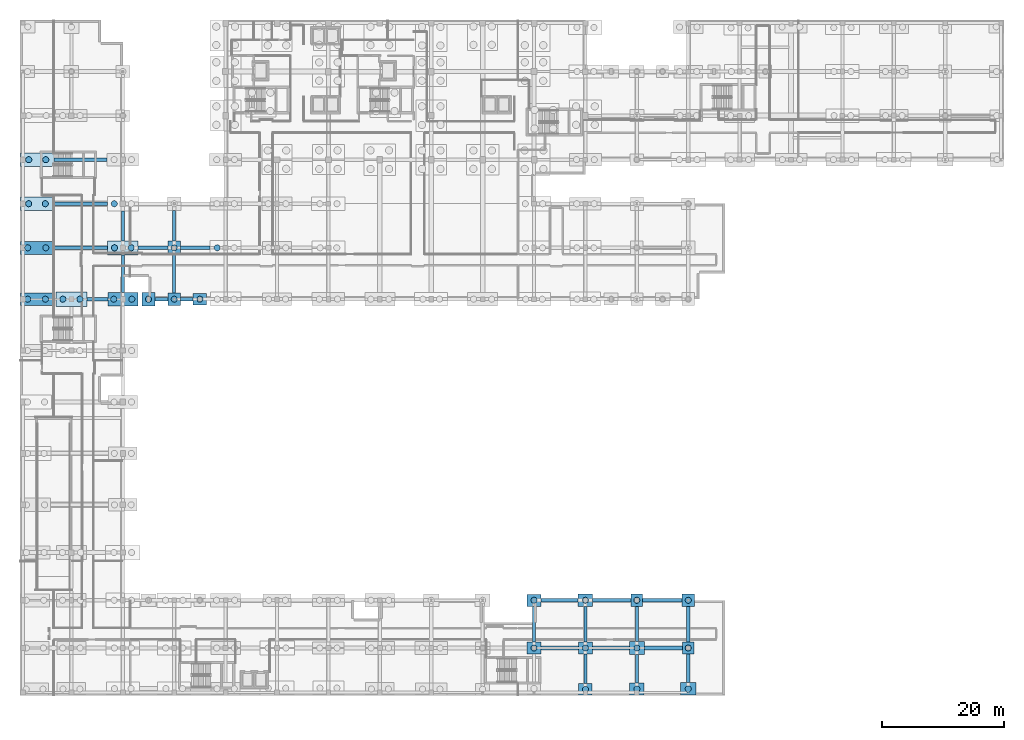
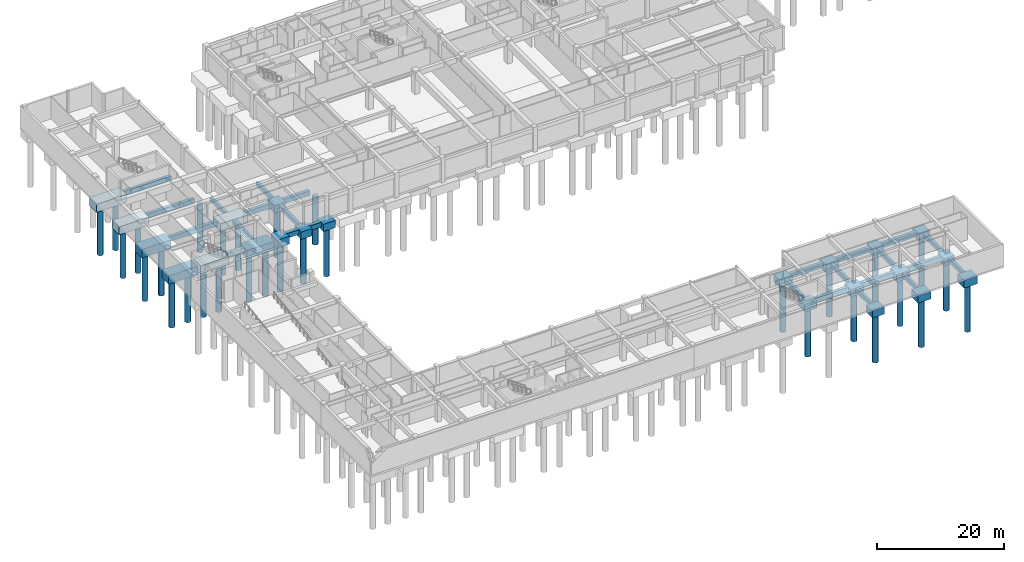
# One storey, part 3 of 42: 47 footings, 31 piles.
"""IFC4 building model written with IfcOpenShell, lengths in metres."""

from ifc_helpers import new_model, si_unit, direction, frame, origin, origin_2d, place, context, subcontext, project, spatial, rectangle, circle, extrude, material, material_profile, profile_set, type_object, element, save


model = new_model("IFC4")

# Units and contexts
model_context = context("Model", 3, precision=1e-05, world=origin(), true_north=direction((0.0, 1.0)))
body_context = subcontext(model_context, "Body", "Model", "MODEL_VIEW")
ifc_project = project(units=[si_unit("LENGTHUNIT", "METRE"), si_unit("AREAUNIT", "SQUARE_METRE"), si_unit("VOLUMEUNIT", "CUBIC_METRE"), si_unit("PLANEANGLEUNIT", "RADIAN"), si_unit("MASSUNIT", "GRAM", prefix="KILO")], contexts=[model_context])

# Site, building, storey
site_placement = place(None, origin())
site = spatial("IfcSite", under=ifc_project, at=site_placement, CompositionType="ELEMENT")
building_placement = place(site_placement, origin())
building = spatial("IfcBuilding", under=site, at=building_placement, Name="Quendrovan Civic Courthouse", CompositionType="ELEMENT")
storey_placement = place(building_placement, frame((0.0, 0.0, -4.5)))
storey = spatial("IfcBuildingStorey", under=building, at=storey_placement, Name="B1", CompositionType="ELEMENT", Elevation=-4.5)

# Footings
ifc_material = material(Name="Concrete C35/45", Category="concrete")
footing_type_1 = type_object("IfcFootingType", Name="FTG-PC1-190x202x140", PredefinedType="PILE_CAP", material=ifc_material)
for number, where, z_axis, x_axis, name in (
    (1, (100.800048828125, 15.60009765625, -1.699951171875), (0.0, 0.0, 1.0), (1.0, 0.0, 0.0), "Pile Cap PC1-01 at 13-C"),
    (2, (109.199951171875, 7.800048828125, -1.699951171875), (0.0, 0.0, 1.0), (1.0, 0.0, 0.0), "Pile Cap PC1-01 at 14-B"),
):
    element("IfcFooting", number, at=place(storey_placement, frame(where, z_axis=z_axis, x_axis=x_axis)), inside=storey, type_object=footing_type_1, Name=name, PredefinedType="PILE_CAP", context=body_context, shape_type="SweptSolid", body=[
        extrude(rectangle(XDim=1.89990234375, YDim=2.02001953125, at=origin_2d()), origin(), (0.0, 0.0, 1.0), 1.39990234375),
    ])
footing_type_2 = type_object("IfcFootingType", Name="FTG-PC1-198x208x143", PredefinedType="PILE_CAP", material=ifc_material)
for number, where, z_axis, x_axis, name in (
    (3, (25.199951171875, 64.800048828125, -1.72998046875), (0.0, 0.0, 1.0), (1.0, 0.0, 0.0), "Pile Cap PC1-02 at 4-J"),
    (4, (109.199951171875, 15.60009765625, -1.72998046875), (0.0, 0.0, 1.0), (1.0, 0.0, 0.0), "Pile Cap PC1-02 at 14-C"),
):
    element("IfcFooting", number, at=place(storey_placement, frame(where, z_axis=z_axis, x_axis=x_axis)), inside=storey, type_object=footing_type_2, Name=name, PredefinedType="PILE_CAP", context=body_context, shape_type="SweptSolid", body=[
        extrude(rectangle(XDim=1.97998046875, YDim=2.080078125, at=origin_2d()), origin(), (0.0, 0.0, 1.0), 1.429931640625),
    ])
footing_type_3 = type_object("IfcFootingType", Name="FTG-PC1-206x214x146", PredefinedType="PILE_CAP", material=ifc_material)
footing_1_placement = place(storey_placement, frame((25.199951171875, 73.199951171875, -1.760009765625), z_axis=(0.0, 0.0, 1.0), x_axis=(1.0, 0.0, 0.0)))
element("IfcFooting", 5, at=footing_1_placement, inside=storey, type_object=footing_type_3, Name="Pile Cap PC1-03 at 4-K", PredefinedType="PILE_CAP", context=body_context, shape_type="SweptSolid", body=[
    extrude(rectangle(XDim=2.06005859375, YDim=2.139892578125, at=origin_2d()), origin(), (0.0, 0.0, 1.0), 1.4599609375),
])
footing_type_4 = type_object("IfcFootingType", Name="FTG-PC1-214x220x149", PredefinedType="PILE_CAP", material=ifc_material)
footing_2_placement = place(storey_placement, frame((21.0, 64.800048828125, -1.7900390625), z_axis=(0.0, 0.0, 1.0), x_axis=(1.0, 0.0, 0.0)))
element("IfcFooting", 6, at=footing_2_placement, inside=storey, type_object=footing_type_4, Name="Pile Cap PC1-04 at PIL-C1", PredefinedType="PILE_CAP", context=body_context, shape_type="SweptSolid", body=[
    extrude(rectangle(XDim=2.139892578125, YDim=2.199951171875, at=origin_2d()), origin(), (0.0, 0.0, 1.0), 1.489990234375),
])
footing_type_5 = type_object("IfcFootingType", Name="FTG-PC1-222x190x140", PredefinedType="PILE_CAP", material=ifc_material)
for number, where, z_axis, x_axis, name in (
    (7, (84.0, 7.800048828125, -1.699951171875), (0.0, 0.0, 1.0), (1.0, 0.0, 0.0), "Pile Cap PC1-05 at 11-B"),
    (8, (92.39990234375, 1.030029296875, -1.699951171875), (0.0, 0.0, 1.0), (1.0, 0.0, 0.0), "Pile Cap PC1-05 at 12-A"),
    (9, (29.39990234375, 64.800048828125, -1.699951171875), (0.0, 0.0, 1.0), (1.0, 0.0, 0.0), "Pile Cap PC1-05 at PIL-C2"),
):
    element("IfcFooting", number, at=place(storey_placement, frame(where, z_axis=z_axis, x_axis=x_axis)), inside=storey, type_object=footing_type_5, Name=name, PredefinedType="PILE_CAP", context=body_context, shape_type="SweptSolid", body=[
        extrude(rectangle(XDim=2.219970703125, YDim=1.89990234375, at=origin_2d()), origin(), (0.0, 0.0, 1.0), 1.39990234375),
    ])
footing_type_6 = type_object("IfcFootingType", Name="FTG-PC1-229x196x143", PredefinedType="PILE_CAP", material=ifc_material)
for number, where, z_axis, x_axis, name in (
    (10, (84.0, 15.60009765625, -1.72998046875), (0.0, 0.0, 1.0), (1.0, 0.0, 0.0), "Pile Cap PC1-06 at 11-C"),
    (11, (92.39990234375, 7.800048828125, -1.72998046875), (0.0, 0.0, 1.0), (1.0, 0.0, 0.0), "Pile Cap PC1-06 at 12-B"),
):
    element("IfcFooting", number, at=place(storey_placement, frame(where, z_axis=z_axis, x_axis=x_axis)), inside=storey, type_object=footing_type_6, Name=name, PredefinedType="PILE_CAP", context=body_context, shape_type="SweptSolid", body=[
        extrude(rectangle(XDim=2.300048828125, YDim=1.9599609375, at=origin_2d()), origin(), (0.0, 0.0, 1.0), 1.429931640625),
    ])
footing_type_7 = type_object("IfcFootingType", Name="FTG-PC1-238x202x146", PredefinedType="PILE_CAP", material=ifc_material)
for number, where, z_axis, x_axis, name in (
    (12, (92.39990234375, 15.60009765625, -1.760009765625), (0.0, 0.0, 1.0), (1.0, 0.0, 0.0), "Pile Cap PC1-07 at 12-C"),
    (13, (100.800048828125, 1.090087890625, -1.760009765625), (0.0, 0.0, 1.0), (1.0, 0.0, 0.0), "Pile Cap PC1-07 at 13-A"),
):
    element("IfcFooting", number, at=place(storey_placement, frame(where, z_axis=z_axis, x_axis=x_axis)), inside=storey, type_object=footing_type_7, Name=name, PredefinedType="PILE_CAP", context=body_context, shape_type="SweptSolid", body=[
        extrude(rectangle(XDim=2.3798828125, YDim=2.02001953125, at=origin_2d()), origin(), (0.0, 0.0, 1.0), 1.4599609375),
    ])
footing_type_8 = type_object("IfcFootingType", Name="FTG-PC1-246x208x149", PredefinedType="PILE_CAP", material=ifc_material)
for number, where, z_axis, x_axis, name in (
    (14, (100.800048828125, 7.800048828125, -1.7900390625), (0.0, 0.0, 1.0), (1.0, 0.0, 0.0), "Pile Cap PC1-08 at 13-B"),
    (15, (109.199951171875, 1.1201171875, -1.7900390625), (0.0, 0.0, 1.0), (1.0, 0.0, 0.0), "Pile Cap PC1-08 at 14-A"),
):
    element("IfcFooting", number, at=place(storey_placement, frame(where, z_axis=z_axis, x_axis=x_axis)), inside=storey, type_object=footing_type_8, Name=name, PredefinedType="PILE_CAP", context=body_context, shape_type="SweptSolid", body=[
        extrude(rectangle(XDim=2.4599609375, YDim=2.080078125, at=origin_2d()), origin(), (0.0, 0.0, 1.0), 1.489990234375),
    ])
footing_type_9 = type_object("IfcFootingType", Name="FTG-PC2-492x224x163", PredefinedType="PILE_CAP", material=ifc_material)
footing_3_placement = place(storey_placement, frame((16.800048828125, 64.800048828125, -1.929931640625), z_axis=(0.0, 0.0, 1.0), x_axis=(1.0, 0.0, 0.0)))
element("IfcFooting", 16, at=footing_3_placement, inside=storey, type_object=footing_type_9, Name="Pile Cap PC2-05 at 3-J", PredefinedType="PILE_CAP", context=body_context, shape_type="SweptSolid", body=[
    extrude(rectangle(XDim=4.919921875, YDim=2.239990234375, at=origin_2d()), origin(), (0.0, 0.0, 1.0), 1.6298828125),
])
footing_type_10 = type_object("IfcFootingType", Name="FTG-PC2-500x229x155", PredefinedType="PILE_CAP", material=ifc_material)
footing_4_placement = place(storey_placement, frame((16.800048828125, 73.199951171875, -1.85009765625), z_axis=(0.0, 0.0, 1.0), x_axis=(1.0, 0.0, 0.0)))
element("IfcFooting", 17, at=footing_4_placement, inside=storey, type_object=footing_type_10, Name="Pile Cap PC2-06 at 3-K", PredefinedType="PILE_CAP", context=body_context, shape_type="SweptSolid", body=[
    extrude(rectangle(XDim=5.0, YDim=2.300048828125, at=origin_2d()), origin(), (0.0, 0.0, 1.0), 1.550048828125),
])
footing_type_11 = type_object("IfcFootingType", Name="FTG-PC2-508x236x157", PredefinedType="PILE_CAP", material=ifc_material)
footing_5_placement = place(storey_placement, frame((8.39990234375, 64.800048828125, -1.8701171875), z_axis=(0.0, 0.0, 1.0), x_axis=(1.0, 0.0, 0.0)))
element("IfcFooting", 18, at=footing_5_placement, inside=storey, type_object=footing_type_11, Name="Pile Cap PC2-07 at 2-J", PredefinedType="PILE_CAP", context=body_context, shape_type="SweptSolid", body=[
    extrude(rectangle(XDim=5.080078125, YDim=2.360107421875, at=origin_2d()), origin(), (0.0, 0.0, 1.0), 1.570068359375),
])
footing_type_12 = type_object("IfcFootingType", Name="FTG-PC2-524x206x161", PredefinedType="PILE_CAP", material=ifc_material)
footing_6_placement = place(storey_placement, frame((2.699951171875, 64.800048828125, -1.91015625), z_axis=(0.0, 0.0, 1.0), x_axis=(1.0, 0.0, 0.0)))
element("IfcFooting", 19, at=footing_6_placement, inside=storey, type_object=footing_type_12, Name="Pile Cap PC2-09 at 1-J", PredefinedType="PILE_CAP", context=body_context, shape_type="SweptSolid", body=[
    extrude(rectangle(XDim=5.239990234375, YDim=2.06005859375, at=origin_2d()), origin(), (0.0, 0.0, 1.0), 1.610107421875),
])
footing_type_13 = type_object("IfcFootingType", Name="FTG-PC2-532x212x163", PredefinedType="PILE_CAP", material=ifc_material)
footing_7_placement = place(storey_placement, frame((2.739990234375, 73.199951171875, -1.929931640625), z_axis=(0.0, 0.0, 1.0), x_axis=(1.0, 0.0, 0.0)))
element("IfcFooting", 20, at=footing_7_placement, inside=storey, type_object=footing_type_13, Name="Pile Cap PC2-10 at 1-K", PredefinedType="PILE_CAP", context=body_context, shape_type="SweptSolid", body=[
    extrude(rectangle(XDim=5.320068359375, YDim=2.1201171875, at=origin_2d()), origin(), (0.0, 0.0, 1.0), 1.6298828125),
])
footing_type_14 = type_object("IfcFootingType", Name="FTG-PC2-540x218x155", PredefinedType="PILE_CAP", material=ifc_material)
footing_8_placement = place(storey_placement, frame((2.780029296875, 80.39990234375, -1.85009765625), z_axis=(0.0, 0.0, 1.0), x_axis=(1.0, 0.0, 0.0)))
element("IfcFooting", 21, at=footing_8_placement, inside=storey, type_object=footing_type_14, Name="Pile Cap PC2-11 at 1-L", PredefinedType="PILE_CAP", context=body_context, shape_type="SweptSolid", body=[
    extrude(rectangle(XDim=5.39990234375, YDim=2.179931640625, at=origin_2d()), origin(), (0.0, 0.0, 1.0), 1.550048828125),
])
footing_type_15 = type_object("IfcFootingType", Name="FTG-PC2-548x224x157", PredefinedType="PILE_CAP", material=ifc_material)
footing_9_placement = place(storey_placement, frame((2.820068359375, 87.60009765625, -1.8701171875), z_axis=(0.0, 0.0, 1.0), x_axis=(1.0, 0.0, 0.0)))
element("IfcFooting", 22, at=footing_9_placement, inside=storey, type_object=footing_type_15, Name="Pile Cap PC2-12 at 1-M", PredefinedType="PILE_CAP", context=body_context, shape_type="SweptSolid", body=[
    extrude(rectangle(XDim=5.47998046875, YDim=2.239990234375, at=origin_2d()), origin(), (0.0, 0.0, 1.0), 1.570068359375),
])
footing_type_16 = type_object("IfcFootingType", Name="FTG-TBX-2200", PredefinedType="FOOTING_BEAM", material=ifc_material)
footing_10_placement = place(storey_placement, frame((23.139892578125, 64.800048828125, -1.199951171875), z_axis=(0.0, 0.0, 1.0), x_axis=(1.0, 0.0, 0.0)))
element("IfcFooting", 23, at=footing_10_placement, inside=storey, type_object=footing_type_16, Name="Seismic Tie Beam TB-X-030", PredefinedType="FOOTING_BEAM", context=body_context, shape_type="SweptSolid", body=[
    extrude(rectangle(XDim=2.139892578125, YDim=0.60009765625, at=origin_2d()), origin(), (0.0, 0.0, 1.0), 0.89990234375),
])
footing_11_placement = place(storey_placement, frame((27.239990234375, 64.800048828125, -1.199951171875), z_axis=(0.0, 0.0, 1.0), x_axis=(1.0, 0.0, 0.0)))
element("IfcFooting", 24, at=footing_11_placement, inside=storey, type_object=footing_type_16, Name="Seismic Tie Beam TB-X-031", PredefinedType="FOOTING_BEAM", context=body_context, shape_type="SweptSolid", body=[
    extrude(rectangle(XDim=2.10009765625, YDim=0.60009765625, at=origin_2d()), origin(), (0.0, 0.0, 1.0), 0.89990234375),
])
footing_type_17 = type_object("IfcFootingType", Name="FTG-TBX-3400", PredefinedType="FOOTING_BEAM", material=ifc_material)
footing_12_placement = place(storey_placement, frame((12.639892578125, 64.800048828125, -1.199951171875), z_axis=(0.0, 0.0, 1.0), x_axis=(1.0, 0.0, 0.0)))
element("IfcFooting", 25, at=footing_12_placement, inside=storey, type_object=footing_type_17, Name="Seismic Tie Beam TB-X-029", PredefinedType="FOOTING_BEAM", context=body_context, shape_type="SweptSolid", body=[
    extrude(rectangle(XDim=3.39990234375, YDim=0.60009765625, at=origin_2d()), origin(), (0.0, 0.0, 1.0), 0.89990234375),
])
footing_type_18 = type_object("IfcFootingType", Name="FTG-TBX-4800", PredefinedType="FOOTING_BEAM", material=ifc_material)
footing_13_placement = place(storey_placement, frame((21.735107421875, 73.199951171875, -1.199951171875), z_axis=(0.0, 0.0, 1.0), x_axis=(1.0, 0.0, 0.0)))
element("IfcFooting", 26, at=footing_13_placement, inside=storey, type_object=footing_type_18, Name="Seismic Tie Beam TB-X-043", PredefinedType="FOOTING_BEAM", context=body_context, shape_type="SweptSolid", body=[
    extrude(rectangle(XDim=4.8701171875, YDim=0.60009765625, at=origin_2d()), origin(), (0.0, 0.0, 1.0), 0.89990234375),
])
footing_14_placement = place(storey_placement, frame((28.64501953125, 73.199951171875, -1.199951171875), z_axis=(0.0, 0.0, 1.0), x_axis=(1.0, 0.0, 0.0)))
element("IfcFooting", 27, at=footing_14_placement, inside=storey, type_object=footing_type_18, Name="Seismic Tie Beam TB-X-044", PredefinedType="FOOTING_BEAM", context=body_context, shape_type="SweptSolid", body=[
    extrude(rectangle(XDim=4.830078125, YDim=0.60009765625, at=origin_2d()), origin(), (0.0, 0.0, 1.0), 0.89990234375),
])
footing_type_19 = type_object("IfcFootingType", Name="FTG-TBX-6000", PredefinedType="FOOTING_BEAM", material=ifc_material)
footing_15_placement = place(storey_placement, frame((96.56005859375, 7.800048828125, -1.199951171875), z_axis=(0.0, 0.0, 1.0), x_axis=(1.0, 0.0, 0.0)))
element("IfcFooting", 28, at=footing_15_placement, inside=storey, type_object=footing_type_19, Name="Seismic Tie Beam TB-X-013", PredefinedType="FOOTING_BEAM", context=body_context, shape_type="SweptSolid", body=[
    extrude(rectangle(XDim=6.02001953125, YDim=0.60009765625, at=origin_2d()), origin(), (0.0, 0.0, 1.0), 0.89990234375),
])
footing_16_placement = place(storey_placement, frame((88.179931640625, 15.60009765625, -1.199951171875), z_axis=(0.0, 0.0, 1.0), x_axis=(1.0, 0.0, 0.0)))
element("IfcFooting", 29, at=footing_16_placement, inside=storey, type_object=footing_type_19, Name="Seismic Tie Beam TB-X-021", PredefinedType="FOOTING_BEAM", context=body_context, shape_type="SweptSolid", body=[
    extrude(rectangle(XDim=6.06005859375, YDim=0.60009765625, at=origin_2d()), origin(), (0.0, 0.0, 1.0), 0.89990234375),
])
footing_type_20 = type_object("IfcFootingType", Name="FTG-TBX-6200", PredefinedType="FOOTING_BEAM", material=ifc_material)
footing_17_placement = place(storey_placement, frame((88.179931640625, 7.800048828125, -1.199951171875), z_axis=(0.0, 0.0, 1.0), x_axis=(1.0, 0.0, 0.0)))
element("IfcFooting", 30, at=footing_17_placement, inside=storey, type_object=footing_type_20, Name="Seismic Tie Beam TB-X-012", PredefinedType="FOOTING_BEAM", context=body_context, shape_type="SweptSolid", body=[
    extrude(rectangle(XDim=6.139892578125, YDim=0.60009765625, at=origin_2d()), origin(), (0.0, 0.0, 1.0), 0.89990234375),
])
footing_18_placement = place(storey_placement, frame((105.139892578125, 7.800048828125, -1.199951171875), z_axis=(0.0, 0.0, 1.0), x_axis=(1.0, 0.0, 0.0)))
element("IfcFooting", 31, at=footing_18_placement, inside=storey, type_object=footing_type_20, Name="Seismic Tie Beam TB-X-014", PredefinedType="FOOTING_BEAM", context=body_context, shape_type="SweptSolid", body=[
    extrude(rectangle(XDim=6.219970703125, YDim=0.60009765625, at=origin_2d()), origin(), (0.0, 0.0, 1.0), 0.89990234375),
])
footing_19_placement = place(storey_placement, frame((96.719970703125, 15.60009765625, -1.199951171875), z_axis=(0.0, 0.0, 1.0), x_axis=(1.0, 0.0, 0.0)))
element("IfcFooting", 32, at=footing_19_placement, inside=storey, type_object=footing_type_20, Name="Seismic Tie Beam TB-X-022", PredefinedType="FOOTING_BEAM", context=body_context, shape_type="SweptSolid", body=[
    extrude(rectangle(XDim=6.260009765625, YDim=0.60009765625, at=origin_2d()), origin(), (0.0, 0.0, 1.0), 0.89990234375),
])
footing_type_21 = type_object("IfcFootingType", Name="FTG-TBX-6400", PredefinedType="FOOTING_BEAM", material=ifc_material)
footing_20_placement = place(storey_placement, frame((104.97998046875, 15.60009765625, -1.199951171875), z_axis=(0.0, 0.0, 1.0), x_axis=(1.0, 0.0, 0.0)))
element("IfcFooting", 33, at=footing_20_placement, inside=storey, type_object=footing_type_21, Name="Seismic Tie Beam TB-X-023", PredefinedType="FOOTING_BEAM", context=body_context, shape_type="SweptSolid", body=[
    extrude(rectangle(XDim=6.4599609375, YDim=0.60009765625, at=origin_2d()), origin(), (0.0, 0.0, 1.0), 0.89990234375),
])
footing_type_22 = type_object("IfcFootingType", Name="FTG-TBX-8600", PredefinedType="FOOTING_BEAM", material=ifc_material)
footing_21_placement = place(storey_placement, frame((9.889892578125, 87.60009765625, -1.199951171875), z_axis=(0.0, 0.0, 1.0), x_axis=(1.0, 0.0, 0.0)))
element("IfcFooting", 34, at=footing_21_placement, inside=storey, type_object=footing_type_22, Name="Seismic Tie Beam TB-X-058", PredefinedType="FOOTING_BEAM", context=body_context, shape_type="SweptSolid", body=[
    extrude(rectangle(XDim=8.659912109375, YDim=0.60009765625, at=origin_2d()), origin(), (0.0, 0.0, 1.0), 0.89990234375),
])
footing_type_23 = type_object("IfcFootingType", Name="FTG-TBX-8800", PredefinedType="FOOTING_BEAM", material=ifc_material)
footing_22_placement = place(storey_placement, frame((9.85009765625, 73.199951171875, -1.199951171875), z_axis=(0.0, 0.0, 1.0), x_axis=(1.0, 0.0, 0.0)))
element("IfcFooting", 35, at=footing_22_placement, inside=storey, type_object=footing_type_23, Name="Seismic Tie Beam TB-X-042", PredefinedType="FOOTING_BEAM", context=body_context, shape_type="SweptSolid", body=[
    extrude(rectangle(XDim=8.89990234375, YDim=0.60009765625, at=origin_2d()), origin(), (0.0, 0.0, 1.0), 0.89990234375),
])
footing_23_placement = place(storey_placement, frame((9.8701171875, 80.39990234375, -1.199951171875), z_axis=(0.0, 0.0, 1.0), x_axis=(1.0, 0.0, 0.0)))
element("IfcFooting", 36, at=footing_23_placement, inside=storey, type_object=footing_type_23, Name="Seismic Tie Beam TB-X-050", PredefinedType="FOOTING_BEAM", context=body_context, shape_type="SweptSolid", body=[
    extrude(rectangle(XDim=8.780029296875, YDim=0.60009765625, at=origin_2d()), origin(), (0.0, 0.0, 1.0), 0.89990234375),
])
footing_type_24 = type_object("IfcFootingType", Name="FTG-TBY-4600", PredefinedType="FOOTING_BEAM", material=ifc_material)
footing_24_placement = place(storey_placement, frame((100.800048828125, 4.429931640625, -1.10009765625), z_axis=(0.0, 0.0, 1.0), x_axis=(1.0, 0.0, 0.0)))
element("IfcFooting", 37, at=footing_24_placement, inside=storey, type_object=footing_type_24, Name="Seismic Tie Beam TB-Y-151", PredefinedType="FOOTING_BEAM", context=body_context, shape_type="SweptSolid", body=[
    extrude(rectangle(XDim=0.5, YDim=4.659912109375, at=origin_2d()), origin(), (0.0, 0.0, 1.0), 0.800048828125),
])
footing_25_placement = place(storey_placement, frame((109.199951171875, 4.47509765625, -1.10009765625), z_axis=(0.0, 0.0, 1.0), x_axis=(1.0, 0.0, 0.0)))
element("IfcFooting", 38, at=footing_25_placement, inside=storey, type_object=footing_type_24, Name="Seismic Tie Beam TB-Y-157", PredefinedType="FOOTING_BEAM", context=body_context, shape_type="SweptSolid", body=[
    extrude(rectangle(XDim=0.5, YDim=4.6298828125, at=origin_2d()), origin(), (0.0, 0.0, 1.0), 0.800048828125),
])
footing_type_25 = type_object("IfcFootingType", Name="FTG-TBY-4800", PredefinedType="FOOTING_BEAM", material=ifc_material)
footing_26_placement = place(storey_placement, frame((16.800048828125, 76.784912109375, -1.10009765625), z_axis=(0.0, 0.0, 1.0), x_axis=(1.0, 0.0, 0.0)))
element("IfcFooting", 39, at=footing_26_placement, inside=storey, type_object=footing_type_25, Name="Seismic Tie Beam TB-Y-105", PredefinedType="FOOTING_BEAM", context=body_context, shape_type="SweptSolid", body=[
    extrude(rectangle(XDim=0.5, YDim=4.8701171875, at=origin_2d()), origin(), (0.0, 0.0, 1.0), 0.800048828125),
])
footing_27_placement = place(storey_placement, frame((92.39990234375, 4.39990234375, -1.10009765625), z_axis=(0.0, 0.0, 1.0), x_axis=(1.0, 0.0, 0.0)))
element("IfcFooting", 40, at=footing_27_placement, inside=storey, type_object=footing_type_25, Name="Seismic Tie Beam TB-Y-144", PredefinedType="FOOTING_BEAM", context=body_context, shape_type="SweptSolid", body=[
    extrude(rectangle(XDim=0.5, YDim=4.840087890625, at=origin_2d()), origin(), (0.0, 0.0, 1.0), 0.800048828125),
])
footing_type_26 = type_object("IfcFootingType", Name="FTG-TBY-5000", PredefinedType="FOOTING_BEAM", material=ifc_material)
footing_28_placement = place(storey_placement, frame((25.199951171875, 76.784912109375, -1.10009765625), z_axis=(0.0, 0.0, 1.0), x_axis=(1.0, 0.0, 0.0)))
element("IfcFooting", 41, at=footing_28_placement, inside=storey, type_object=footing_type_26, Name="Seismic Tie Beam TB-Y-112", PredefinedType="FOOTING_BEAM", context=body_context, shape_type="SweptSolid", body=[
    extrude(rectangle(XDim=0.5, YDim=5.030029296875, at=origin_2d()), origin(), (0.0, 0.0, 1.0), 0.800048828125),
])
footing_type_27 = type_object("IfcFootingType", Name="FTG-TBY-5800", PredefinedType="FOOTING_BEAM", material=ifc_material)
footing_29_placement = place(storey_placement, frame((84.0, 11.68505859375, -1.10009765625), z_axis=(0.0, 0.0, 1.0), x_axis=(1.0, 0.0, 0.0)))
element("IfcFooting", 42, at=footing_29_placement, inside=storey, type_object=footing_type_27, Name="Seismic Tie Beam TB-Y-140", PredefinedType="FOOTING_BEAM", context=body_context, shape_type="SweptSolid", body=[
    extrude(rectangle(XDim=0.5, YDim=5.8701171875, at=origin_2d()), origin(), (0.0, 0.0, 1.0), 0.800048828125),
])
footing_30_placement = place(storey_placement, frame((92.39990234375, 11.68505859375, -1.10009765625), z_axis=(0.0, 0.0, 1.0), x_axis=(1.0, 0.0, 0.0)))
element("IfcFooting", 43, at=footing_30_placement, inside=storey, type_object=footing_type_27, Name="Seismic Tie Beam TB-Y-145", PredefinedType="FOOTING_BEAM", context=body_context, shape_type="SweptSolid", body=[
    extrude(rectangle(XDim=0.5, YDim=5.81005859375, at=origin_2d()), origin(), (0.0, 0.0, 1.0), 0.800048828125),
])
for number, where, z_axis, x_axis, name in (
    (44, (100.800048828125, 11.715087890625, -1.10009765625), (0.0, 0.0, 1.0), (1.0, 0.0, 0.0), "Seismic Tie Beam TB-Y-152"),
    (45, (109.199951171875, 11.68505859375, -1.10009765625), (0.0, 0.0, 1.0), (1.0, 0.0, 0.0), "Seismic Tie Beam TB-Y-158"),
):
    element("IfcFooting", number, at=place(storey_placement, frame(where, z_axis=z_axis, x_axis=x_axis)), inside=storey, type_object=footing_type_27, Name=name, PredefinedType="FOOTING_BEAM", context=body_context, shape_type="SweptSolid", body=[
        extrude(rectangle(XDim=0.5, YDim=5.75, at=origin_2d()), origin(), (0.0, 0.0, 1.0), 0.800048828125),
    ])
footing_type_28 = type_object("IfcFootingType", Name="FTG-TBY-6200", PredefinedType="FOOTING_BEAM", material=ifc_material)
footing_31_placement = place(storey_placement, frame((16.800048828125, 68.985107421875, -1.10009765625), z_axis=(0.0, 0.0, 1.0), x_axis=(1.0, 0.0, 0.0)))
element("IfcFooting", 46, at=footing_31_placement, inside=storey, type_object=footing_type_28, Name="Seismic Tie Beam TB-Y-104", PredefinedType="FOOTING_BEAM", context=body_context, shape_type="SweptSolid", body=[
    extrude(rectangle(XDim=0.5, YDim=6.1298828125, at=origin_2d()), origin(), (0.0, 0.0, 1.0), 0.800048828125),
])
footing_32_placement = place(storey_placement, frame((25.199951171875, 68.985107421875, -1.10009765625), z_axis=(0.0, 0.0, 1.0), x_axis=(1.0, 0.0, 0.0)))
element("IfcFooting", 47, at=footing_32_placement, inside=storey, type_object=footing_type_28, Name="Seismic Tie Beam TB-Y-111", PredefinedType="FOOTING_BEAM", context=body_context, shape_type="SweptSolid", body=[
    extrude(rectangle(XDim=0.5, YDim=6.2900390625, at=origin_2d()), origin(), (0.0, 0.0, 1.0), 0.800048828125),
])

# Piles
ifc_material_profile = material_profile(ifc_material, circle(Radius=0.5, at=origin_2d()), Name="PILE-D1000")
ifc_profile_set = profile_set([ifc_material_profile], Name="Concrete C35/45")
pile_type = type_object("IfcPileType", Name="PILE-B1000", PredefinedType="BORED", material=ifc_profile_set)
for number, where, z_axis, x_axis, name in (
    (48, (1.25, 64.800048828125, -1.81005859375), (0.0, 0.0, -1.0), (1.0, 0.0, 0.0), "Bored Pile PILE-1-J-1"),
    (49, (4.14990234375, 64.800048828125, -1.81005859375), (0.0, 0.0, -1.0), (1.0, 0.0, 0.0), "Bored Pile PILE-1-J-2"),
):
    element("IfcPile", number, at=place(storey_placement, frame(where, z_axis=z_axis, x_axis=x_axis)), inside=storey, type_object=pile_type, Name=name, PredefinedType="BORED", context=body_context, shape_type="SweptSolid", body=[
        extrude(circle(Radius=0.5, at=origin_2d()), origin(), (0.0, 0.0, 1.0), 9.18994140625),
    ])
for number, where, z_axis, x_axis, name in (
    (50, (1.260009765625, 73.199951171875, -1.830078125), (0.0, 0.0, -1.0), (1.0, 0.0, 0.0), "Bored Pile PILE-1-K-1"),
    (51, (4.219970703125, 73.199951171875, -1.830078125), (0.0, 0.0, -1.0), (1.0, 0.0, 0.0), "Bored Pile PILE-1-K-2"),
):
    element("IfcPile", number, at=place(storey_placement, frame(where, z_axis=z_axis, x_axis=x_axis)), inside=storey, type_object=pile_type, Name=name, PredefinedType="BORED", context=body_context, shape_type="SweptSolid", body=[
        extrude(circle(Radius=0.5, at=origin_2d()), origin(), (0.0, 0.0, 1.0), 9.169921875),
    ])
for number, where, z_axis, x_axis, name in (
    (52, (1.419921875, 80.39990234375, -1.75), (0.0, 0.0, -1.0), (1.0, 0.0, 0.0), "Bored Pile PILE-1-L-1"),
    (53, (4.139892578125, 80.39990234375, -1.75), (0.0, 0.0, -1.0), (1.0, 0.0, 0.0), "Bored Pile PILE-1-L-2"),
):
    element("IfcPile", number, at=place(storey_placement, frame(where, z_axis=z_axis, x_axis=x_axis)), inside=storey, type_object=pile_type, Name=name, PredefinedType="BORED", context=body_context, shape_type="SweptSolid", body=[
        extrude(circle(Radius=0.5, at=origin_2d()), origin(), (0.0, 0.0, 1.0), 9.25),
    ])
for number, where, z_axis, x_axis, name in (
    (54, (1.429931640625, 87.60009765625, -1.77001953125), (0.0, 0.0, -1.0), (1.0, 0.0, 0.0), "Bored Pile PILE-1-M-1"),
    (55, (4.2099609375, 87.60009765625, -1.77001953125), (0.0, 0.0, -1.0), (1.0, 0.0, 0.0), "Bored Pile PILE-1-M-2"),
    (56, (7.010009765625, 64.800048828125, -1.77001953125), (0.0, 0.0, -1.0), (1.0, 0.0, 0.0), "Bored Pile PILE-2-J-1"),
    (57, (9.7900390625, 64.800048828125, -1.77001953125), (0.0, 0.0, -1.0), (1.0, 0.0, 0.0), "Bored Pile PILE-2-J-2"),
):
    element("IfcPile", number, at=place(storey_placement, frame(where, z_axis=z_axis, x_axis=x_axis)), inside=storey, type_object=pile_type, Name=name, PredefinedType="BORED", context=body_context, shape_type="SweptSolid", body=[
        extrude(circle(Radius=0.5, at=origin_2d()), origin(), (0.0, 0.0, 1.0), 9.22998046875),
    ])
for number, where, z_axis, x_axis, name in (
    (58, (15.320068359375, 64.800048828125, -1.830078125), (0.0, 0.0, -1.0), (1.0, 0.0, 0.0), "Bored Pile PILE-3-J-1"),
    (59, (18.280029296875, 64.800048828125, -1.830078125), (0.0, 0.0, -1.0), (1.0, 0.0, 0.0), "Bored Pile PILE-3-J-2"),
):
    element("IfcPile", number, at=place(storey_placement, frame(where, z_axis=z_axis, x_axis=x_axis)), inside=storey, type_object=pile_type, Name=name, PredefinedType="BORED", context=body_context, shape_type="SweptSolid", body=[
        extrude(circle(Radius=0.5, at=origin_2d()), origin(), (0.0, 0.0, 1.0), 9.169921875),
    ])
for number, where, z_axis, x_axis, name in (
    (60, (15.43994140625, 73.199951171875, -1.75), (0.0, 0.0, -1.0), (1.0, 0.0, 0.0), "Bored Pile PILE-3-K-1"),
    (61, (18.159912109375, 73.199951171875, -1.75), (0.0, 0.0, -1.0), (1.0, 0.0, 0.0), "Bored Pile PILE-3-K-2"),
):
    element("IfcPile", number, at=place(storey_placement, frame(where, z_axis=z_axis, x_axis=x_axis)), inside=storey, type_object=pile_type, Name=name, PredefinedType="BORED", context=body_context, shape_type="SweptSolid", body=[
        extrude(circle(Radius=0.5, at=origin_2d()), origin(), (0.0, 0.0, 1.0), 9.25),
    ])
pile_1_placement = place(storey_placement, frame((15.409912109375, 80.39990234375, -1.77001953125), z_axis=(0.0, 0.0, -1.0), x_axis=(1.0, 0.0, 0.0)))
element("IfcPile", 62, at=pile_1_placement, inside=storey, type_object=pile_type, Name="Bored Pile PILE-3-L-1", PredefinedType="BORED", context=body_context, shape_type="SweptSolid", body=[
    extrude(circle(Radius=0.5, at=origin_2d()), origin(), (0.0, 0.0, 1.0), 9.22998046875),
])
pile_2_placement = place(storey_placement, frame((25.199951171875, 64.800048828125, -1.6298828125), z_axis=(0.0, 0.0, -1.0), x_axis=(1.0, 0.0, 0.0)))
element("IfcPile", 63, at=pile_2_placement, inside=storey, type_object=pile_type, Name="Bored Pile PILE-4-J-1", PredefinedType="BORED", context=body_context, shape_type="SweptSolid", body=[
    extrude(circle(Radius=0.5, at=origin_2d()), origin(), (0.0, 0.0, 1.0), 9.3701171875),
])
pile_3_placement = place(storey_placement, frame((25.199951171875, 73.199951171875, -1.659912109375), z_axis=(0.0, 0.0, -1.0), x_axis=(1.0, 0.0, 0.0)))
element("IfcPile", 64, at=pile_3_placement, inside=storey, type_object=pile_type, Name="Bored Pile PILE-4-K-1", PredefinedType="BORED", context=body_context, shape_type="SweptSolid", body=[
    extrude(circle(Radius=0.5, at=origin_2d()), origin(), (0.0, 0.0, 1.0), 9.340087890625),
])
pile_4_placement = place(storey_placement, frame((32.2099609375, 73.199951171875, -1.77001953125), z_axis=(0.0, 0.0, -1.0), x_axis=(1.0, 0.0, 0.0)))
element("IfcPile", 65, at=pile_4_placement, inside=storey, type_object=pile_type, Name="Bored Pile PILE-5-K-1", PredefinedType="BORED", context=body_context, shape_type="SweptSolid", body=[
    extrude(circle(Radius=0.5, at=origin_2d()), origin(), (0.0, 0.0, 1.0), 9.22998046875),
])
pile_5_placement = place(storey_placement, frame((84.0, 7.800048828125, -1.60009765625), z_axis=(0.0, 0.0, -1.0), x_axis=(1.0, 0.0, 0.0)))
element("IfcPile", 66, at=pile_5_placement, inside=storey, type_object=pile_type, Name="Bored Pile PILE-11-B-1", PredefinedType="BORED", context=body_context, shape_type="SweptSolid", body=[
    extrude(circle(Radius=0.5, at=origin_2d()), origin(), (0.0, 0.0, 1.0), 9.39990234375),
])
pile_6_placement = place(storey_placement, frame((84.0, 15.60009765625, -1.6298828125), z_axis=(0.0, 0.0, -1.0), x_axis=(1.0, 0.0, 0.0)))
element("IfcPile", 67, at=pile_6_placement, inside=storey, type_object=pile_type, Name="Bored Pile PILE-11-C-1", PredefinedType="BORED", context=body_context, shape_type="SweptSolid", body=[
    extrude(circle(Radius=0.5, at=origin_2d()), origin(), (0.0, 0.0, 1.0), 9.3701171875),
])
pile_7_placement = place(storey_placement, frame((92.39990234375, 1.030029296875, -1.60009765625), z_axis=(0.0, 0.0, -1.0), x_axis=(1.0, 0.0, 0.0)))
element("IfcPile", 68, at=pile_7_placement, inside=storey, type_object=pile_type, Name="Bored Pile PILE-12-A-1", PredefinedType="BORED", context=body_context, shape_type="SweptSolid", body=[
    extrude(circle(Radius=0.5, at=origin_2d()), origin(), (0.0, 0.0, 1.0), 9.39990234375),
])
pile_8_placement = place(storey_placement, frame((92.39990234375, 7.800048828125, -1.6298828125), z_axis=(0.0, 0.0, -1.0), x_axis=(1.0, 0.0, 0.0)))
element("IfcPile", 69, at=pile_8_placement, inside=storey, type_object=pile_type, Name="Bored Pile PILE-12-B-1", PredefinedType="BORED", context=body_context, shape_type="SweptSolid", body=[
    extrude(circle(Radius=0.5, at=origin_2d()), origin(), (0.0, 0.0, 1.0), 9.3701171875),
])
for number, where, z_axis, x_axis, name in (
    (70, (92.39990234375, 15.60009765625, -1.659912109375), (0.0, 0.0, -1.0), (1.0, 0.0, 0.0), "Bored Pile PILE-12-C-1"),
    (71, (100.800048828125, 1.090087890625, -1.659912109375), (0.0, 0.0, -1.0), (1.0, 0.0, 0.0), "Bored Pile PILE-13-A-1"),
):
    element("IfcPile", number, at=place(storey_placement, frame(where, z_axis=z_axis, x_axis=x_axis)), inside=storey, type_object=pile_type, Name=name, PredefinedType="BORED", context=body_context, shape_type="SweptSolid", body=[
        extrude(circle(Radius=0.5, at=origin_2d()), origin(), (0.0, 0.0, 1.0), 9.340087890625),
    ])
pile_9_placement = place(storey_placement, frame((100.800048828125, 7.800048828125, -1.68994140625), z_axis=(0.0, 0.0, -1.0), x_axis=(1.0, 0.0, 0.0)))
element("IfcPile", 72, at=pile_9_placement, inside=storey, type_object=pile_type, Name="Bored Pile PILE-13-B-1", PredefinedType="BORED", context=body_context, shape_type="SweptSolid", body=[
    extrude(circle(Radius=0.5, at=origin_2d()), origin(), (0.0, 0.0, 1.0), 9.31005859375),
])
pile_10_placement = place(storey_placement, frame((100.800048828125, 15.60009765625, -1.60009765625), z_axis=(0.0, 0.0, -1.0), x_axis=(1.0, 0.0, 0.0)))
element("IfcPile", 73, at=pile_10_placement, inside=storey, type_object=pile_type, Name="Bored Pile PILE-13-C-1", PredefinedType="BORED", context=body_context, shape_type="SweptSolid", body=[
    extrude(circle(Radius=0.5, at=origin_2d()), origin(), (0.0, 0.0, 1.0), 9.39990234375),
])
pile_11_placement = place(storey_placement, frame((109.199951171875, 1.1201171875, -1.68994140625), z_axis=(0.0, 0.0, -1.0), x_axis=(1.0, 0.0, 0.0)))
element("IfcPile", 74, at=pile_11_placement, inside=storey, type_object=pile_type, Name="Bored Pile PILE-14-A-1", PredefinedType="BORED", context=body_context, shape_type="SweptSolid", body=[
    extrude(circle(Radius=0.5, at=origin_2d()), origin(), (0.0, 0.0, 1.0), 9.31005859375),
])
pile_12_placement = place(storey_placement, frame((109.199951171875, 7.800048828125, -1.60009765625), z_axis=(0.0, 0.0, -1.0), x_axis=(1.0, 0.0, 0.0)))
element("IfcPile", 75, at=pile_12_placement, inside=storey, type_object=pile_type, Name="Bored Pile PILE-14-B-1", PredefinedType="BORED", context=body_context, shape_type="SweptSolid", body=[
    extrude(circle(Radius=0.5, at=origin_2d()), origin(), (0.0, 0.0, 1.0), 9.39990234375),
])
pile_13_placement = place(storey_placement, frame((109.199951171875, 15.60009765625, -1.6298828125), z_axis=(0.0, 0.0, -1.0), x_axis=(1.0, 0.0, 0.0)))
element("IfcPile", 76, at=pile_13_placement, inside=storey, type_object=pile_type, Name="Bored Pile PILE-14-C-1", PredefinedType="BORED", context=body_context, shape_type="SweptSolid", body=[
    extrude(circle(Radius=0.5, at=origin_2d()), origin(), (0.0, 0.0, 1.0), 9.3701171875),
])
pile_14_placement = place(storey_placement, frame((21.0, 64.800048828125, -1.68994140625), z_axis=(0.0, 0.0, -1.0), x_axis=(1.0, 0.0, 0.0)))
element("IfcPile", 77, at=pile_14_placement, inside=storey, type_object=pile_type, Name="Bored Pile PILE-PIL-C1-1", PredefinedType="BORED", context=body_context, shape_type="SweptSolid", body=[
    extrude(circle(Radius=0.5, at=origin_2d()), origin(), (0.0, 0.0, 1.0), 9.31005859375),
])
pile_15_placement = place(storey_placement, frame((29.39990234375, 64.800048828125, -1.60009765625), z_axis=(0.0, 0.0, -1.0), x_axis=(1.0, 0.0, 0.0)))
element("IfcPile", 78, at=pile_15_placement, inside=storey, type_object=pile_type, Name="Bored Pile PILE-PIL-C2-1", PredefinedType="BORED", context=body_context, shape_type="SweptSolid", body=[
    extrude(circle(Radius=0.5, at=origin_2d()), origin(), (0.0, 0.0, 1.0), 9.39990234375),
])

save(model, "model.ifc")
